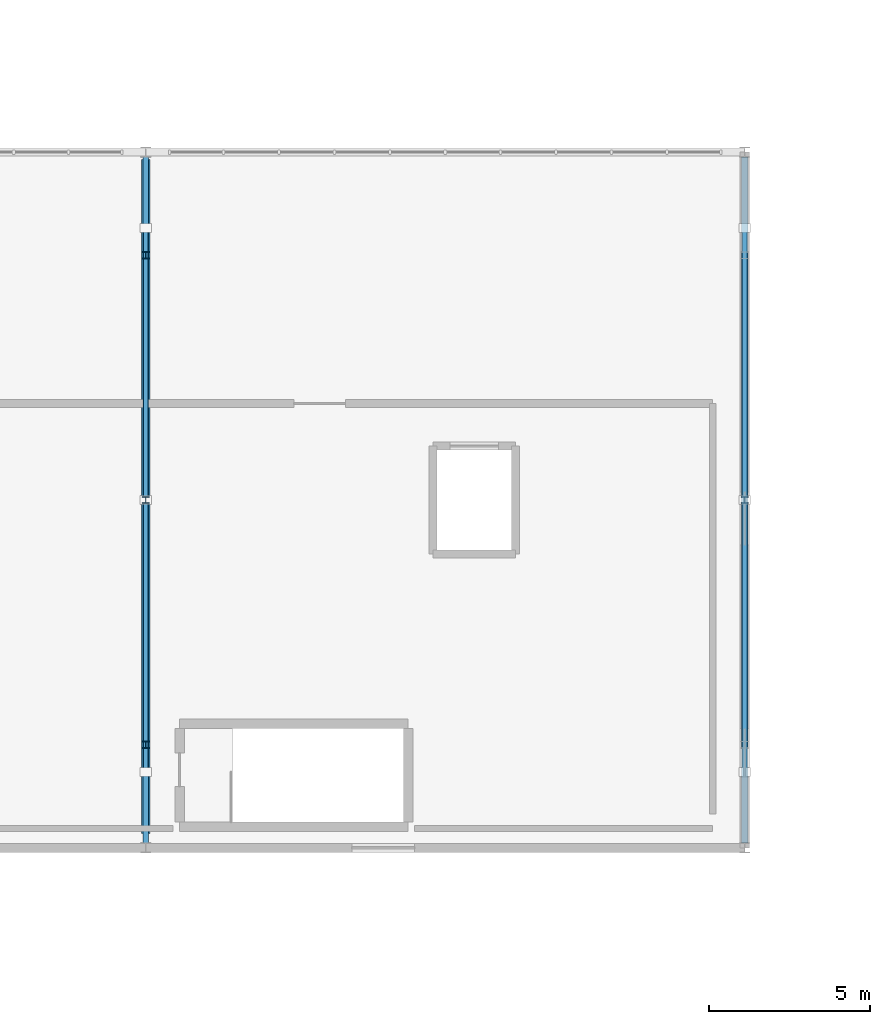
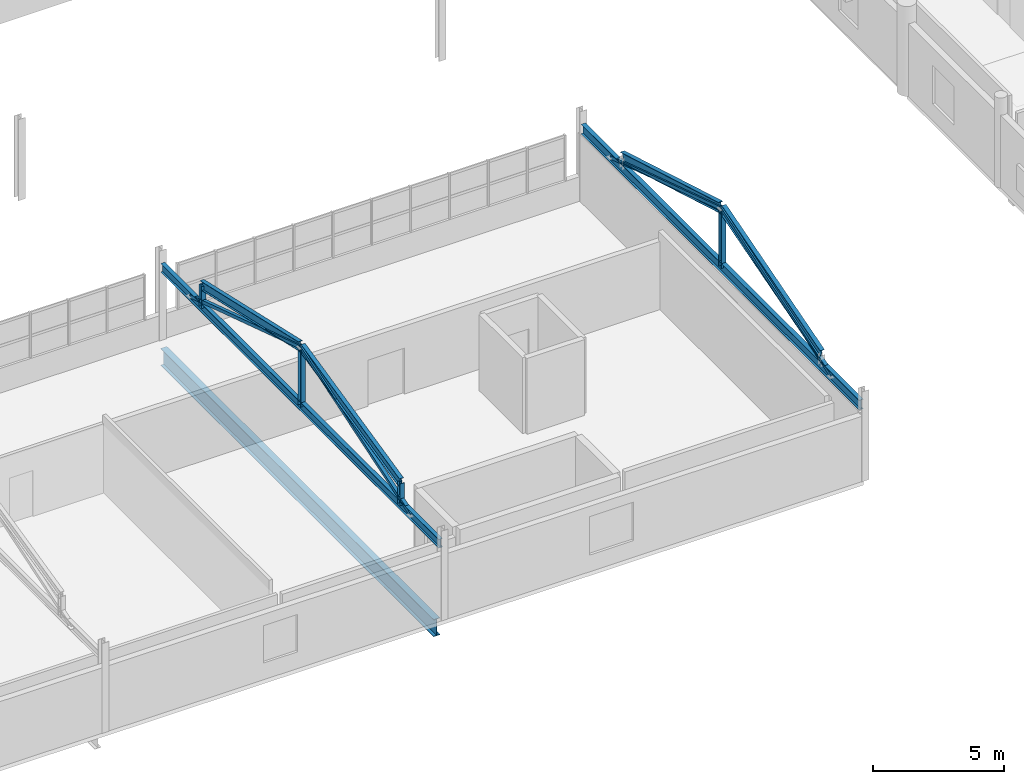
# One storey, part 22 of 90: 8 members, 7 beams.
"""IFC4 building model written with IfcOpenShell, lengths in metres."""

from ifc_helpers import new_model, si_unit, direction, frame, origin, origin_2d, place, context, subcontext, project, spatial, hollow_rectangle, i_section, extrude, material, material_profile, profile_set, type_object, element, save


model = new_model("IFC4")

# Units and contexts
model_context = context("Model", 3, precision=1e-05, world=origin(), true_north=direction((0.0, 1.0)))
body_context = subcontext(model_context, "Body", "Model", "MODEL_VIEW")
ifc_project = project(units=[si_unit("LENGTHUNIT", "METRE"), si_unit("AREAUNIT", "SQUARE_METRE"), si_unit("VOLUMEUNIT", "CUBIC_METRE"), si_unit("PLANEANGLEUNIT", "RADIAN"), si_unit("MASSUNIT", "GRAM", prefix="KILO")], contexts=[model_context])

# Site, building, storey
site_placement = place(None, origin())
site = spatial("IfcSite", under=ifc_project, at=site_placement, CompositionType="ELEMENT")
building_placement = place(site_placement, origin())
building = spatial("IfcBuilding", under=site, at=building_placement, Name="Solanera Park Tramway Depot", CompositionType="ELEMENT")
storey_placement = place(building_placement, frame((0.0, 0.0, 9.0)))
storey = spatial("IfcBuildingStorey", under=building, at=storey_placement, Name="L02", CompositionType="ELEMENT", Elevation=9.0)

# Members
ifc_material_1 = material(Name="Steel AS/NZS 3679.1 Grade 350", Category="steel")
ifc_material_profile_1 = material_profile(ifc_material_1, i_section(OverallWidth=0.205078125, OverallDepth=0.209716796875, WebThickness=0.00927734375, FlangeThickness=0.01416015625, at=origin_2d()), Name="200UC59.5")
ifc_profile_set_1 = profile_set([ifc_material_profile_1], Name="Steel AS/NZS 3679.1 Grade 350")
member_type_1 = type_object("IfcMemberType", Name="Roof Gantry Compression Strut 200UC59.5", PredefinedType="STRUT", material=ifc_profile_set_1)
for number, where, z_axis, x_axis, name in (
    (1, (75.0, 14.0, 3.40185546875), (0.0, 0.0, 1.0), (1.0, 0.0, 0.0), "Hip ROOF TRUSS Heel Post #0110"),
    (2, (75.0, 29.199951171875, 3.40185546875), (0.0, 0.0, 1.0), (1.0, 0.0, 0.0), "Hip ROOF TRUSS Heel Post #0111"),
):
    element("IfcMember", number, at=place(storey_placement, frame(where, z_axis=z_axis, x_axis=x_axis)), inside=storey, type_object=member_type_1, Name=name, PredefinedType="STRUT", context=body_context, shape_type="SweptSolid", body=[
        extrude(i_section(OverallWidth=0.205078125, OverallDepth=0.209716796875, WebThickness=0.00927734375, FlangeThickness=0.01416015625, at=origin_2d()), origin(), (0.0, 0.0, 1.0), 1.021240234375),
    ])
member_1_placement = place(storey_placement, frame((75.0, 21.60009765625, 3.40185546875), z_axis=(0.0, 0.0, 1.0), x_axis=(1.0, 0.0, 0.0)))
element("IfcMember", 3, at=member_1_placement, inside=storey, type_object=member_type_1, Name="Hip ROOF TRUSS King Post #0112", PredefinedType="STRUT", context=body_context, shape_type="SweptSolid", body=[
    extrude(i_section(OverallWidth=0.205078125, OverallDepth=0.209716796875, WebThickness=0.00927734375, FlangeThickness=0.01416015625, at=origin_2d()), origin(), (0.0, 0.0, 1.0), 2.731201171875),
])
member_2_placement = place(storey_placement, frame((93.60009765625, 21.60009765625, 3.376220703125), z_axis=(0.0, 0.0, 1.0), x_axis=(1.0, 0.0, 0.0)))
element("IfcMember", 4, at=member_2_placement, inside=storey, type_object=member_type_1, Name="Hip ROOF TRUSS King Post #0115", PredefinedType="STRUT", context=body_context, shape_type="SweptSolid", body=[
    extrude(i_section(OverallWidth=0.205078125, OverallDepth=0.209716796875, WebThickness=0.00927734375, FlangeThickness=0.01416015625, at=origin_2d()), origin(), (0.0, 0.0, 1.0), 2.7314453125),
])

# Beams
ifc_material_2 = material(Name="Steel AS/NZS 3679.1 Grade 350", Category="steel")
ifc_material_profile_2 = material_profile(ifc_material_2, i_section(OverallWidth=0.177734375, OverallDepth=0.406494140625, WebThickness=0.0078125, FlangeThickness=0.0126953125, at=origin_2d()), Name="410UB59.7")
ifc_profile_set_2 = profile_set([ifc_material_profile_2], Name="Steel AS/NZS 3679.1 Grade 350")
beam_type_1 = type_object("IfcBeamType", Name="Steel Beam 410UB59.7", PredefinedType="BEAM", material=ifc_profile_set_2)
beam_1_placement = place(storey_placement, frame((75.0, 10.953369140625, 3.40185546875), z_axis=(0.0, 1.0, 0.0), x_axis=(-1.0, 0.0, 0.0)))
element("IfcBeam", 5, at=beam_1_placement, inside=storey, type_object=beam_type_1, Name="L02 Hip ROOF TRUSS Tie 410UB59.7 #1050", PredefinedType="BEAM", context=body_context, shape_type="SweptSolid", body=[
    extrude(i_section(OverallWidth=0.177734375, OverallDepth=0.406494140625, WebThickness=0.0078125, FlangeThickness=0.0126953125, at=origin_2d()), origin(), (0.0, 0.0, 1.0), 21.293212890625),
])
for number, where, z_axis, x_axis, name in (
    (6, (75.0, 14.0, 4.423095703125), (0.0, 0.975235733708, 0.221167953597), (-1.0, 0.0, 0.0), "L02 Hip ROOF TRUSS Rafter 410UB59.7 #1051"),
    (7, (75.0, 21.659912109375, 6.133056640625), (0.0, 0.975235733708, -0.221167953597), (-1.0, 0.0, 0.0), "L02 Hip ROOF TRUSS Rafter 410UB59.7 #1052"),
):
    element("IfcBeam", number, at=place(storey_placement, frame(where, z_axis=z_axis, x_axis=x_axis)), inside=storey, type_object=beam_type_1, Name=name, PredefinedType="BEAM", context=body_context, shape_type="SweptSolid", body=[
        extrude(i_section(OverallWidth=0.177734375, OverallDepth=0.406494140625, WebThickness=0.0078125, FlangeThickness=0.0126953125, at=origin_2d()), origin(), (0.0, 0.0, 1.0), 7.7314453125),
    ])
ifc_material_3 = material(Name="Steel AS/NZS 3679.1 Grade 350", Category="steel")
ifc_material_profile_3 = material_profile(ifc_material_3, i_section(OverallWidth=0.1904296875, OverallDepth=0.45751953125, WebThickness=0.009033203125, FlangeThickness=0.014404296875, at=origin_2d()), Name="460UB74.6")
ifc_profile_set_3 = profile_set([ifc_material_profile_3], Name="Steel AS/NZS 3679.1 Grade 350")
beam_type_2 = type_object("IfcBeamType", Name="Steel Beam 460UB74.6", PredefinedType="BEAM", material=ifc_profile_set_3)
beam_2_placement = place(storey_placement, frame((93.60009765625, 10.953369140625, 3.376220703125), z_axis=(0.0, 1.0, 0.0), x_axis=(-1.0, 0.0, 0.0)))
element("IfcBeam", 8, at=beam_2_placement, inside=storey, type_object=beam_type_2, Name="L02 Hip ROOF TRUSS Tie 460UB74.6 #1053", PredefinedType="BEAM", context=body_context, shape_type="SweptSolid", body=[
    extrude(i_section(OverallWidth=0.1904296875, OverallDepth=0.45751953125, WebThickness=0.009033203125, FlangeThickness=0.014404296875, at=origin_2d()), origin(), (0.0, 0.0, 1.0), 21.293212890625),
])
for number, where, z_axis, x_axis, name in (
    (9, (93.60009765625, 14.0, 3.893798828125), (0.0, 0.959496002032, 0.281722242793), (-1.0, 0.0, 0.0), "L02 Hip ROOF TRUSS Rafter 460UB74.6 #1054"),
    (10, (93.60009765625, 21.659912109375, 6.107666015625), (0.0, 0.959496002032, -0.281722242793), (-1.0, 0.0, 0.0), "L02 Hip ROOF TRUSS Rafter 460UB74.6 #1055"),
):
    element("IfcBeam", number, at=place(storey_placement, frame(where, z_axis=z_axis, x_axis=x_axis)), inside=storey, type_object=beam_type_2, Name=name, PredefinedType="BEAM", context=body_context, shape_type="SweptSolid", body=[
        extrude(i_section(OverallWidth=0.1904296875, OverallDepth=0.45751953125, WebThickness=0.009033203125, FlangeThickness=0.014404296875, at=origin_2d()), origin(), (0.0, 0.0, 1.0), 7.8583984375),
    ])
ifc_material_4 = material(Name="Steel AS/NZS 3679.1 Grade 350", Category="steel")
ifc_material_profile_4 = material_profile(ifc_material_4, i_section(OverallWidth=0.27490234375, OverallDepth=0.800048828125, WebThickness=0.010009765625, FlangeThickness=0.02001953125, at=origin_2d()), Name="800WB146")
ifc_profile_set_4 = profile_set([ifc_material_profile_4], Name="Steel AS/NZS 3679.1 Grade 350")
beam_type_3 = type_object("IfcBeamType", Name="Steel Beam 800WB146", PredefinedType="BEAM", material=ifc_profile_set_4)
beam_3_placement = place(storey_placement, frame((75.0, 11.25, -0.7041015625), z_axis=(0.0, 1.0, 0.0), x_axis=(-1.0, 0.0, 0.0)))
element("IfcBeam", 11, at=beam_3_placement, inside=storey, type_object=beam_type_3, Name="L02 Primary Y-Girder 800WB146 #0143", PredefinedType="BEAM", context=body_context, shape_type="SweptSolid", body=[
    extrude(i_section(OverallWidth=0.27490234375, OverallDepth=0.800048828125, WebThickness=0.010009765625, FlangeThickness=0.02001953125, at=origin_2d()), origin(), (0.0, 0.0, 1.0), 20.925048828125),
])

# Members
ifc_material_5 = material(Name="Steel AS/NZS 1163 Grade C350L0", Category="steel")
ifc_material_profile_5 = material_profile(ifc_material_5, hollow_rectangle(XDim=0.14990234375, YDim=0.14990234375, WallThickness=0.006103515625, at=origin_2d()), Name="150x150x6.0 SHS")
ifc_profile_set_5 = profile_set([ifc_material_profile_5], Name="Steel AS/NZS 1163 Grade C350L0")
member_type_2 = type_object("IfcMemberType", Name="Truss and Frame Brace 150x150x6.0 SHS", PredefinedType="BRACE", material=ifc_profile_set_5)
member_3_placement = place(storey_placement, frame((75.0, 13.1533203125, 3.40185546875), z_axis=(0.0, 0.951496622075, 0.307659191605), x_axis=(-1.0, 0.0, 0.0)))
element("IfcMember", 12, at=member_3_placement, inside=storey, type_object=member_type_2, Name="Hip ROOF TRUSS Web #0441", PredefinedType="BRACE", context=body_context, shape_type="SweptSolid", body=[
    extrude(hollow_rectangle(XDim=0.14990234375, YDim=0.14990234375, WallThickness=0.006103515625, at=origin_2d()), origin(), (0.0, 0.0, 1.0), 8.87744140625),
])
member_4_placement = place(storey_placement, frame((75.0, 30.046630859375, 3.40185546875), z_axis=(0.0, -0.951494018842, 0.3076672425), x_axis=(1.0, 0.0, 0.0)))
element("IfcMember", 13, at=member_4_placement, inside=storey, type_object=member_type_2, Name="Hip ROOF TRUSS Web #0442", PredefinedType="BRACE", context=body_context, shape_type="SweptSolid", body=[
    extrude(hollow_rectangle(XDim=0.14990234375, YDim=0.14990234375, WallThickness=0.006103515625, at=origin_2d()), origin(), (0.0, 0.0, 1.0), 8.877197265625),
])
member_5_placement = place(storey_placement, frame((93.60009765625, 13.1533203125, 3.376220703125), z_axis=(0.0, 0.951488571122, 0.30768408965), x_axis=(-1.0, 0.0, 0.0)))
element("IfcMember", 14, at=member_5_placement, inside=storey, type_object=member_type_2, Name="Hip ROOF TRUSS Web #0443", PredefinedType="BRACE", context=body_context, shape_type="SweptSolid", body=[
    extrude(hollow_rectangle(XDim=0.14990234375, YDim=0.14990234375, WallThickness=0.006103515625, at=origin_2d()), origin(), (0.0, 0.0, 1.0), 8.87744140625),
])
member_6_placement = place(storey_placement, frame((93.60009765625, 30.046630859375, 3.376220703125), z_axis=(0.0, -0.95148596749, 0.307692141061), x_axis=(1.0, 0.0, 0.0)))
element("IfcMember", 15, at=member_6_placement, inside=storey, type_object=member_type_2, Name="Hip ROOF TRUSS Web #0444", PredefinedType="BRACE", context=body_context, shape_type="SweptSolid", body=[
    extrude(hollow_rectangle(XDim=0.14990234375, YDim=0.14990234375, WallThickness=0.006103515625, at=origin_2d()), origin(), (0.0, 0.0, 1.0), 8.877197265625),
])

save(model, "model.ifc")
